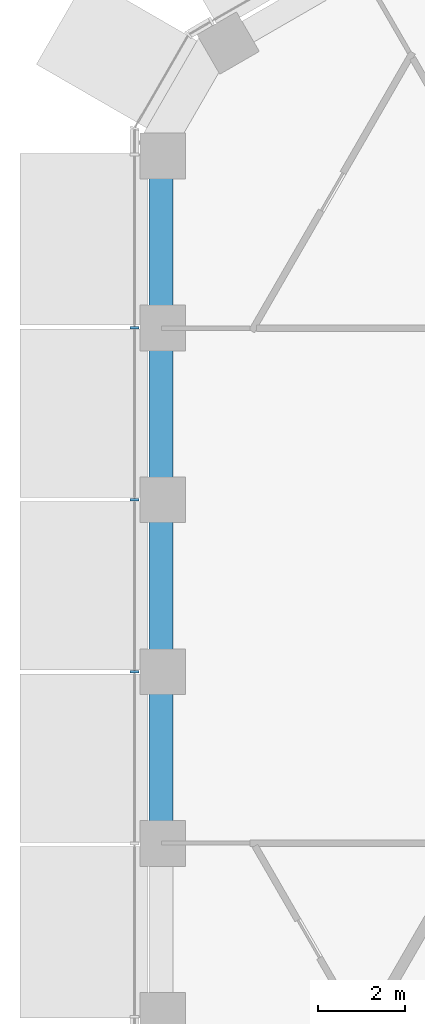
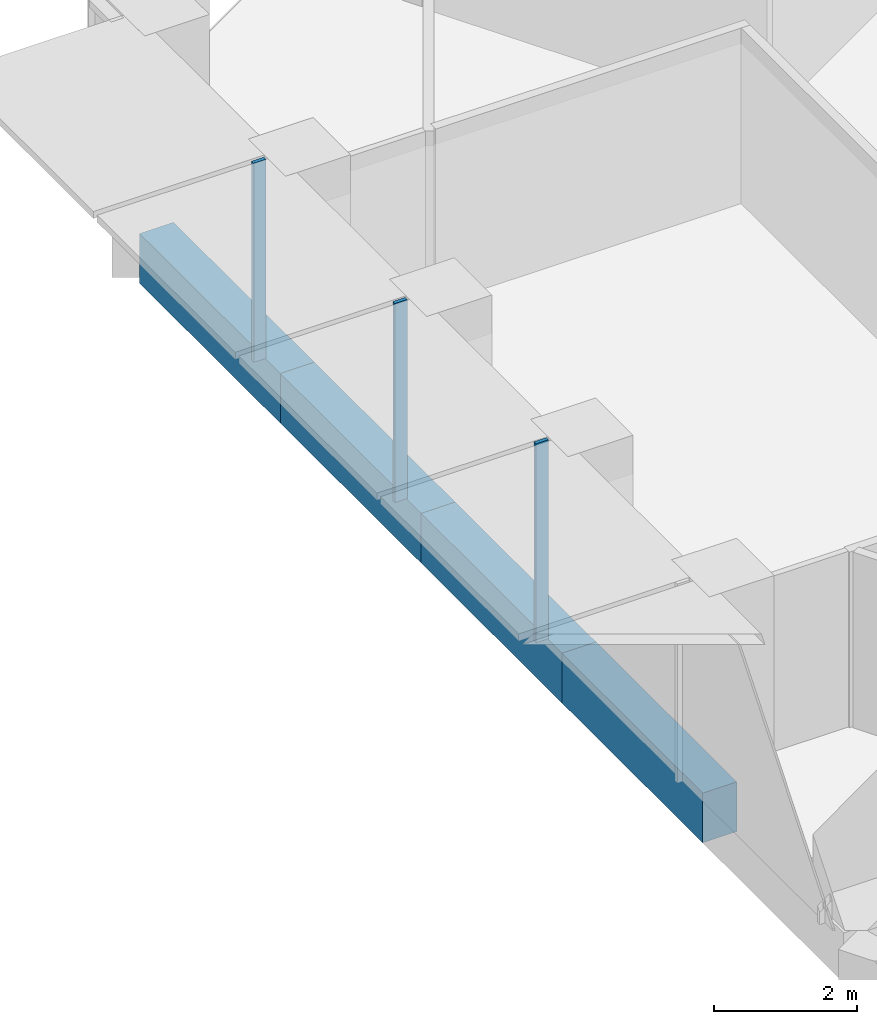
# One storey, part 3 of 21: 4 beams, 3 members, 1 element without a shape of its own.
"""IFC4 building model written with IfcOpenShell, lengths in metres."""

from ifc_helpers import new_model, si_unit, direction, frame, origin, origin_2d, place, context, subcontext, project, spatial, rectangle, extrude, material, layer, layer_set, material_profile, profile_set, type_object, element, aggregate, save


model = new_model("IFC4")

# Units and contexts
model_context = context("Model", 3, precision=1e-05, world=origin(), true_north=direction((0.0, 1.0)))
body_context = subcontext(model_context, "Body", "Model", "MODEL_VIEW")
ifc_project = project(units=[si_unit("LENGTHUNIT", "METRE"), si_unit("AREAUNIT", "SQUARE_METRE"), si_unit("VOLUMEUNIT", "CUBIC_METRE"), si_unit("PLANEANGLEUNIT", "RADIAN"), si_unit("MASSUNIT", "GRAM", prefix="KILO")], contexts=[model_context])

# Site, building, storey
site_placement = place(None, origin())
site = spatial("IfcSite", under=ifc_project, at=site_placement, CompositionType="ELEMENT")
building_placement = place(site_placement, origin())
building = spatial("IfcBuilding", under=site, at=building_placement, Name="Ayvan Gate Tower", CompositionType="ELEMENT")
storey_placement = place(building_placement, frame((0.0, 0.0, 117.10009765625)))
storey = spatial("IfcBuildingStorey", under=building, at=storey_placement, Name="L31", CompositionType="ELEMENT", Elevation=117.10009765625)

# Beams
ifc_material_1 = material(Name="Concrete C40/50", Category="concrete")
ifc_material_profile_1 = material_profile(ifc_material_1, rectangle(XDim=0.550048828125, YDim=0.85009765625, at=origin_2d()), Name="RC 550x850")
ifc_profile_set_1 = profile_set([ifc_material_profile_1], Name="Concrete C40/50")
beam_type = type_object("IfcBeamType", Name="Spandrel beam RC 550x850 C40/50", PredefinedType="BEAM", material=ifc_profile_set_1)
for number, where, z_axis, x_axis, name in (
    (1, (-18.905517578125, 9.852783203125, -0.775146484375), (0.0, -1.0, 0.0), (1.0, 0.0, 0.0), "SB-L31-19"),
    (2, (-18.905517578125, 5.91162109375, -0.775146484375), (0.0, -1.0, 0.0), (1.0, 0.0, 0.0), "SB-L31-20"),
):
    element("IfcBeam", number, at=place(storey_placement, frame(where, z_axis=z_axis, x_axis=x_axis)), inside=storey, type_object=beam_type, Name=name, PredefinedType="BEAM", context=body_context, shape_type="SweptSolid", body=[
        extrude(rectangle(XDim=0.550048828125, YDim=0.85009765625, at=origin_2d()), origin(), (0.0, 0.0, 1.0), 3.941162109375),
    ])
beam_1_placement = place(storey_placement, frame((-18.905517578125, 1.970458984375, -0.775146484375), z_axis=(0.0, -1.0, 0.0), x_axis=(1.0, 0.0, 0.0)))
element("IfcBeam", 3, at=beam_1_placement, inside=storey, type_object=beam_type, Name="SB-L31-21", PredefinedType="BEAM", context=body_context, shape_type="SweptSolid", body=[
    extrude(rectangle(XDim=0.550048828125, YDim=0.85009765625, at=origin_2d()), origin(), (0.0, 0.0, 1.0), 3.94091796875),
])
beam_2_placement = place(storey_placement, frame((-18.905517578125, -1.970458984375, -0.775146484375), z_axis=(0.0, -1.0, 0.0), x_axis=(1.0, 0.0, 0.0)))
element("IfcBeam", 4, at=beam_2_placement, inside=storey, type_object=beam_type, Name="SB-L31-22", PredefinedType="BEAM", context=body_context, shape_type="SweptSolid", body=[
    extrude(rectangle(XDim=0.550048828125, YDim=0.85009765625, at=origin_2d()), origin(), (0.0, 0.0, 1.0), 3.941162109375),
])

# Curtain wall, members
ifc_material_2 = material(Name="Bronze anodised aluminium", Category="aluminium")
ifc_layer = layer(ifc_material_2, 0.199951171875)
ifc_layer_set = layer_set([ifc_layer], Name="Bronze anodised aluminium")
curtain_wall_type = type_object("IfcCurtainWallType", Name="Stick curtain wall CW-1", PredefinedType="NOTDEFINED", material=ifc_layer_set)
curtain_wall_placement = place(storey_placement, origin())
curtain_wall = element("IfcCurtainWall", 5, at=curtain_wall_placement, inside=storey, type_object=curtain_wall_type, Name="Stick curtain wall CW-1 L31", PredefinedType="NOTDEFINED")
ifc_material_profile_2 = material_profile(ifc_material_2, rectangle(XDim=0.199951171875, YDim=0.06005859375, at=origin_2d()), Name="Stick curtain wall CW-1 mullion 200 x 60")
ifc_profile_set_2 = profile_set([ifc_material_profile_2], Name="Bronze anodised aluminium")
member_type = type_object("IfcMemberType", Name="Stick curtain wall CW-1 mullion 200 x 60", PredefinedType="MULLION", material=ifc_profile_set_2)
member_1_placement = place(storey_placement, frame((-19.51708984375, 5.9267578125, 0.0), z_axis=(0.0, 0.0, 1.0), x_axis=(-1.0, 0.0, 0.0)))
member_1 = element("IfcMember", 6, at=member_1_placement, type_object=member_type, Name="CW-1 mullion 2", PredefinedType="MULLION", context=body_context, shape_type="SweptSolid", body=[
    extrude(rectangle(XDim=0.199951171875, YDim=0.06005859375, at=origin_2d()), origin(), (0.0, 0.0, 1.0), 3.39990234375),
])
member_2_placement = place(storey_placement, frame((-19.51708984375, 1.975830078125, 0.0), z_axis=(0.0, 0.0, 1.0), x_axis=(-1.0, 0.0, 0.0)))
member_2 = element("IfcMember", 7, at=member_2_placement, type_object=member_type, Name="CW-1 mullion 3", PredefinedType="MULLION", context=body_context, shape_type="SweptSolid", body=[
    extrude(rectangle(XDim=0.199951171875, YDim=0.06005859375, at=origin_2d()), origin(), (0.0, 0.0, 1.0), 3.39990234375),
])
member_3_placement = place(storey_placement, frame((-19.51708984375, -1.97509765625, 0.0), z_axis=(0.0, 0.0, 1.0), x_axis=(-1.0, 0.0, 0.0)))
member_3 = element("IfcMember", 8, at=member_3_placement, type_object=member_type, Name="CW-1 mullion 4", PredefinedType="MULLION", context=body_context, shape_type="SweptSolid", body=[
    extrude(rectangle(XDim=0.199951171875, YDim=0.06005859375, at=origin_2d()), origin(), (0.0, 0.0, 1.0), 3.39990234375),
])
aggregate(curtain_wall, [member_1, member_2, member_3])

save(model, "model.ifc")
